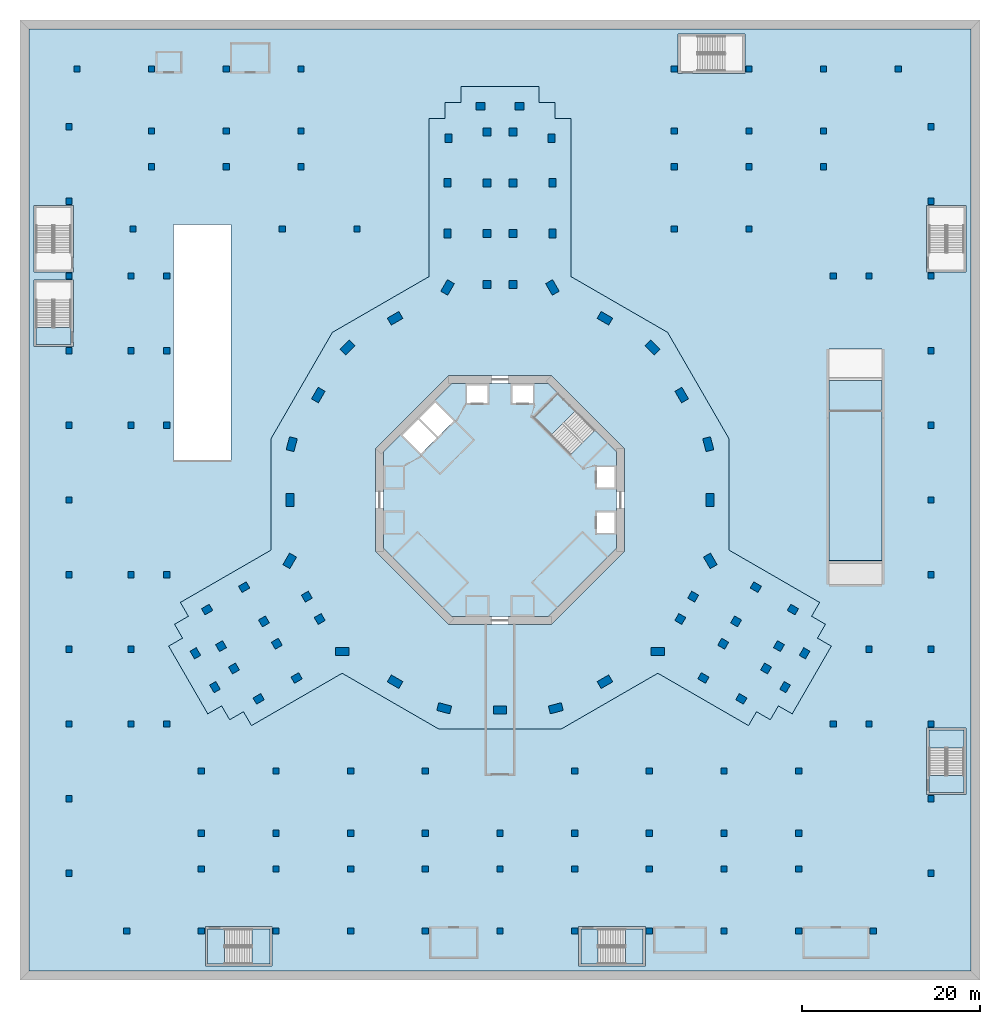
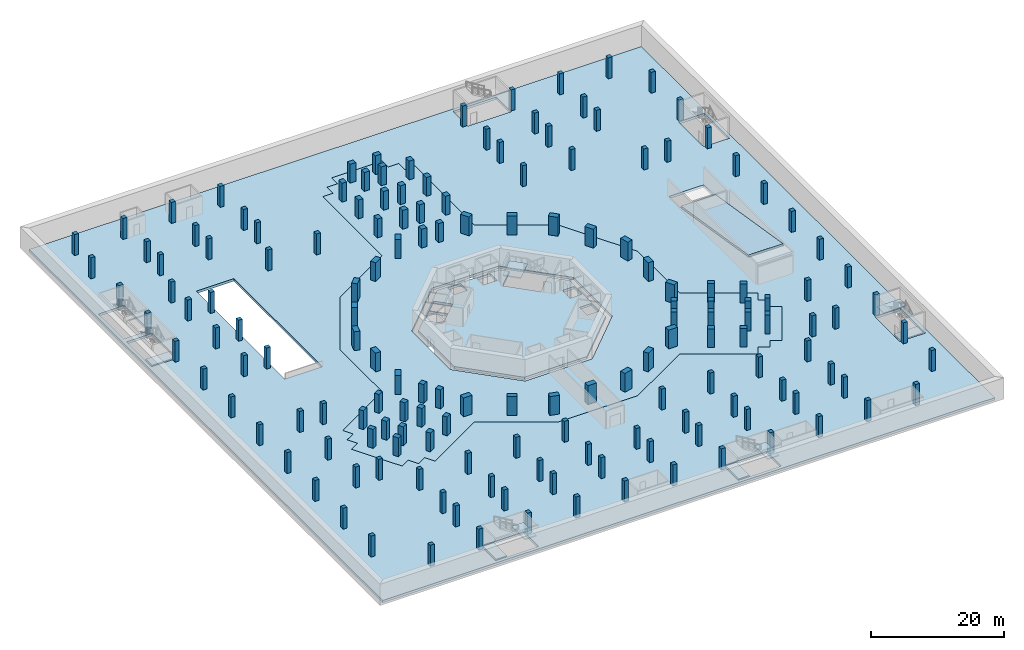
# One storey, part 1 of 25: 161 columns, 12 slabs, 5 elements without a shape of their own.
"""IFC4 building model written with IfcOpenShell, lengths in metres."""

from ifc_helpers import new_model, si_unit, direction, frame, origin, origin_2d, place, context, subcontext, project, spatial, polyline, rectangle, outline, extrude, material, layer, layer_set, material_profile, profile_set, type_object, element, aggregate, save


model = new_model("IFC4")

# Units and contexts
model_context = context("Model", 3, precision=1e-05, world=origin(), true_north=direction((0.0, 1.0)))
body_context = subcontext(model_context, "Body", "Model", "MODEL_VIEW")
ifc_project = project(units=[si_unit("LENGTHUNIT", "METRE"), si_unit("AREAUNIT", "SQUARE_METRE"), si_unit("VOLUMEUNIT", "CUBIC_METRE"), si_unit("PLANEANGLEUNIT", "RADIAN"), si_unit("MASSUNIT", "GRAM", prefix="KILO")], contexts=[model_context])

# Site, building, storey
site_placement = place(None, origin())
site = spatial("IfcSite", under=ifc_project, at=site_placement, CompositionType="ELEMENT")
building_placement = place(site_placement, origin())
building = spatial("IfcBuilding", under=site, at=building_placement, Name="Verdalira Terraces Hotel", CompositionType="ELEMENT")
storey_placement = place(building_placement, frame((0.0, 0.0, -3.899902)))
storey = spatial("IfcBuildingStorey", under=building, at=storey_placement, Name="B1", CompositionType="ELEMENT", Elevation=-3.89990234375)

# Columns
ifc_material_1 = material(Name="Concrete C80", Category="concrete")
ifc_material_profile_1 = material_profile(ifc_material_1, rectangle(XDim=1.0, YDim=0.800049, at=origin_2d()), Name="RC 1000X800")
ifc_profile_set_1 = profile_set([ifc_material_profile_1], Name="Concrete C80")
column_type_1 = type_object("IfcColumnType", Name="Column RC 1000X800 C80", PredefinedType="COLUMN", material=ifc_profile_set_1)
for number, where, z_axis, x_axis, name in (
    (1, (5.899902, 29.972168, 0.0), (0.0, 0.0, 1.0), (0.0, 1.0, 0.0), "Column C01"),
    (2, (5.899902, 35.686035, 0.0), (0.0, 0.0, 1.0), (0.0, 1.0, 0.0), "Column C02"),
    (3, (5.800049, 40.699951, 0.0), (0.0, 0.0, 1.0), (0.0, 1.0, 0.0), "Column C03"),
    (4, (-5.800049, 40.699951, 0.0), (0.0, 0.0, 1.0), (0.0, -1.0, 0.0), "Column C04"),
    (5, (-5.899902, 35.686035, 0.0), (0.0, 0.0, 1.0), (0.0, -1.0, 0.0), "Column C05"),
    (6, (-5.899902, 29.972168, 0.0), (0.0, 0.0, 1.0), (0.0, -1.0, 0.0), "Column C06"),
    (7, (-28.782715, -9.804932, 0.0), (0.0, 0.0, 1.0), (-0.866025404, -0.5, 0.0), "Column C14"),
    (8, (-32.951172, -12.327148, 0.0), (0.0, 0.0, 1.0), (-0.866025404, -0.5, 0.0), "Column C15"),
    (9, (-34.268799, -17.244629, 0.0), (0.0, 0.0, 1.0), (0.5, -0.866025404, 0.0), "Column C16"),
    (10, (-32.068848, -21.05542, 0.0), (0.0, 0.0, 1.0), (0.5, -0.866025404, 0.0), "Column C17"),
    (11, (-27.151123, -22.372803, 0.0), (0.0, 0.0, 1.0), (0.866025404, 0.5, 0.0), "Column C18"),
    (12, (-22.882812, -20.02417, 0.0), (0.0, 0.0, 1.0), (0.866025404, 0.5, 0.0), "Column C19"),
    (13, (22.882812, -20.02417, 0.0), (0.0, 0.0, 1.0), (0.866025404, -0.5, 0.0), "Column C27"),
    (14, (27.151123, -22.372803, 0.0), (0.0, 0.0, 1.0), (0.866025404, -0.5, 0.0), "Column C28"),
    (15, (32.068848, -21.05542, 0.0), (0.0, 0.0, 1.0), (0.5, 0.866025404, 0.0), "Column C29"),
    (16, (34.268799, -17.244629, 0.0), (0.0, 0.0, 1.0), (0.5, 0.866025404, 0.0), "Column C30"),
    (17, (32.951172, -12.327148, 0.0), (0.0, 0.0, 1.0), (-0.866025404, 0.5, 0.0), "Column C31"),
    (18, (28.782715, -9.804932, 0.0), (0.0, 0.0, 1.0), (-0.866025404, 0.5, 0.0), "Column C32"),
    (19, (2.199951, 44.300049, 0.0), (0.0, 0.0, 1.0), (-1.0, 0.0, 0.0), "Column C40"),
    (20, (-2.199951, 44.300049, 0.0), (0.0, 0.0, 1.0), (-1.0, 0.0, 0.0), "Column C41"),
):
    element("IfcColumn", number, at=place(storey_placement, frame(where, z_axis=z_axis, x_axis=x_axis)), inside=storey, type_object=column_type_1, Name=name, PredefinedType="COLUMN", context=body_context, shape_type="SweptSolid", body=[
        extrude(rectangle(XDim=1.0, YDim=0.800049, at=origin_2d()), origin(), (0.0, 0.0, 1.0), 3.449951),
    ])
ifc_material_2 = material(Name="Concrete C80", Category="concrete")
ifc_material_profile_2 = material_profile(ifc_material_2, rectangle(XDim=1.5, YDim=0.899902, at=origin_2d()), Name="RC 1500X900")
ifc_profile_set_2 = profile_set([ifc_material_profile_2], Name="Concrete C80")
column_type_2 = type_object("IfcColumnType", Name="Column RC 1500X900 C80", PredefinedType="COLUMN", material=ifc_profile_set_2)
for number, where, z_axis, x_axis, name in (
    (21, (-5.899902, 23.911865, 0.0), (0.0, 0.0, 1.0), (0.5, 0.866025404, 0.0), "Column C07"),
    (22, (-11.804199, 20.445312, 0.0), (0.0, 0.0, 1.0), (-0.866025404, -0.5, 0.0), "Column C08"),
    (23, (-17.150635, 17.150635, 0.0), (0.0, 0.0, 1.0), (0.707106781, 0.707106781, 0.0), "Column C09"),
    (24, (-20.445312, 11.804199, 0.0), (0.0, 0.0, 1.0), (-0.5, -0.866025404, 0.0), "Column C10"),
    (25, (-23.428223, 6.277588, 0.0), (0.0, 0.0, 1.0), (0.258819045, 0.965925826, 0.0), "Column C11"),
    (26, (-23.608398, 0.0, 0.0), (0.0, 0.0, 1.0), (0.0, -1.0, 0.0), "Column C12"),
    (27, (-23.658203, -6.846436, 0.0), (0.0, 0.0, 1.0), (0.5, 0.866025404, 0.0), "Column C13"),
    (28, (-17.758301, -17.06543, 0.0), (0.0, 0.0, 1.0), (-1.0, 0.0, 0.0), "Column C20"),
    (29, (-11.804199, -20.445312, 0.0), (0.0, 0.0, 1.0), (0.866025404, -0.5, 0.0), "Column C21"),
    (30, (-6.277588, -23.428223, 0.0), (0.0, 0.0, 1.0), (-0.965925826, 0.258819045, 0.0), "Column C22"),
    (31, (0.0, -23.608398, 0.0), (0.0, 0.0, 1.0), (1.0, 0.0, 0.0), "Column C23"),
    (32, (6.277588, -23.428223, 0.0), (0.0, 0.0, 1.0), (-0.965925826, -0.258819045, 0.0), "Column C24"),
    (33, (11.804199, -20.445312, 0.0), (0.0, 0.0, 1.0), (0.866025404, 0.5, 0.0), "Column C25"),
    (34, (17.758301, -17.06543, 0.0), (0.0, 0.0, 1.0), (-1.0, 0.0, 0.0), "Column C26"),
    (35, (23.658203, -6.846436, 0.0), (0.0, 0.0, 1.0), (0.5, -0.866025404, 0.0), "Column C33"),
    (36, (23.608398, 0.0, 0.0), (0.0, 0.0, 1.0), (0.0, 1.0, 0.0), "Column C34"),
    (37, (23.428223, 6.277588, 0.0), (0.0, 0.0, 1.0), (0.258819045, -0.965925826, 0.0), "Column C35"),
    (38, (20.445312, 11.804199, 0.0), (0.0, 0.0, 1.0), (-0.5, 0.866025404, 0.0), "Column C36"),
    (39, (17.150635, 17.150635, 0.0), (0.0, 0.0, 1.0), (0.707106781, -0.707106781, 0.0), "Column C37"),
    (40, (11.804199, 20.445312, 0.0), (0.0, 0.0, 1.0), (-0.866025404, 0.5, 0.0), "Column C38"),
    (41, (5.899902, 23.911865, 0.0), (0.0, 0.0, 1.0), (0.5, -0.866025404, 0.0), "Column C39"),
):
    element("IfcColumn", number, at=place(storey_placement, frame(where, z_axis=z_axis, x_axis=x_axis)), inside=storey, type_object=column_type_2, Name=name, PredefinedType="COLUMN", context=body_context, shape_type="SweptSolid", body=[
        extrude(rectangle(XDim=1.5, YDim=0.899902, at=origin_2d()), origin(), (0.0, 0.0, 1.0), 3.449951),
    ])
ifc_material_3 = material(Name="Concrete C60", Category="concrete")
ifc_material_profile_3 = material_profile(ifc_material_3, rectangle(XDim=0.699951, YDim=0.699951, at=origin_2d()), Name="RC 700X700")
ifc_profile_set_3 = profile_set([ifc_material_profile_3], Name="Concrete C60")
column_type_3 = type_object("IfcColumnType", Name="Column RC 700X700 C60", PredefinedType="COLUMN", material=ifc_profile_set_3)
for number, where, z_axis, x_axis, name in (
    (42, (-42.0, -48.5, 0.0), (0.0, 0.0, 1.0), (1.0, 0.0, 0.0), "Car park column 001"),
    (43, (-33.600098, -48.5, 0.0), (0.0, 0.0, 1.0), (1.0, 0.0, 0.0), "Car park column 002"),
    (44, (-25.199951, -48.5, 0.0), (0.0, 0.0, 1.0), (1.0, 0.0, 0.0), "Car park column 003"),
    (45, (-16.800049, -48.5, 0.0), (0.0, 0.0, 1.0), (1.0, 0.0, 0.0), "Car park column 004"),
    (46, (-8.399902, -48.5, 0.0), (0.0, 0.0, 1.0), (1.0, 0.0, 0.0), "Car park column 005"),
    (47, (0.0, -48.5, 0.0), (0.0, 0.0, 1.0), (1.0, 0.0, 0.0), "Car park column 006"),
    (48, (8.399902, -48.5, 0.0), (0.0, 0.0, 1.0), (1.0, 0.0, 0.0), "Car park column 007"),
    (49, (16.800049, -48.5, 0.0), (0.0, 0.0, 1.0), (1.0, 0.0, 0.0), "Car park column 008"),
    (50, (25.199951, -48.5, 0.0), (0.0, 0.0, 1.0), (1.0, 0.0, 0.0), "Car park column 009"),
    (51, (33.600098, -48.5, 0.0), (0.0, 0.0, 1.0), (1.0, 0.0, 0.0), "Car park column 010"),
    (52, (42.0, -48.5, 0.0), (0.0, 0.0, 1.0), (1.0, 0.0, 0.0), "Car park column 011"),
    (53, (-48.5, -42.0, 0.0), (0.0, 0.0, 1.0), (1.0, 0.0, 0.0), "Car park column 012"),
    (54, (48.5, -42.0, 0.0), (0.0, 0.0, 1.0), (1.0, 0.0, 0.0), "Car park column 013"),
    (55, (-33.600098, -41.5, 0.0), (0.0, 0.0, 1.0), (1.0, 0.0, 0.0), "Car park column 014"),
    (56, (-25.199951, -41.5, 0.0), (0.0, 0.0, 1.0), (1.0, 0.0, 0.0), "Car park column 015"),
    (57, (-16.800049, -41.5, 0.0), (0.0, 0.0, 1.0), (1.0, 0.0, 0.0), "Car park column 016"),
    (58, (-8.399902, -41.5, 0.0), (0.0, 0.0, 1.0), (1.0, 0.0, 0.0), "Car park column 017"),
    (59, (0.0, -41.5, 0.0), (0.0, 0.0, 1.0), (1.0, 0.0, 0.0), "Car park column 018"),
    (60, (8.399902, -41.5, 0.0), (0.0, 0.0, 1.0), (1.0, 0.0, 0.0), "Car park column 019"),
    (61, (16.800049, -41.5, 0.0), (0.0, 0.0, 1.0), (1.0, 0.0, 0.0), "Car park column 020"),
    (62, (25.199951, -41.5, 0.0), (0.0, 0.0, 1.0), (1.0, 0.0, 0.0), "Car park column 021"),
    (63, (33.600098, -41.5, 0.0), (0.0, 0.0, 1.0), (1.0, 0.0, 0.0), "Car park column 022"),
    (64, (-33.600098, -37.5, 0.0), (0.0, 0.0, 1.0), (1.0, 0.0, 0.0), "Car park column 023"),
    (65, (-25.199951, -37.5, 0.0), (0.0, 0.0, 1.0), (1.0, 0.0, 0.0), "Car park column 024"),
    (66, (-16.800049, -37.5, 0.0), (0.0, 0.0, 1.0), (1.0, 0.0, 0.0), "Car park column 025"),
    (67, (-8.399902, -37.5, 0.0), (0.0, 0.0, 1.0), (1.0, 0.0, 0.0), "Car park column 026"),
    (68, (0.0, -37.5, 0.0), (0.0, 0.0, 1.0), (1.0, 0.0, 0.0), "Car park column 027"),
    (69, (8.399902, -37.5, 0.0), (0.0, 0.0, 1.0), (1.0, 0.0, 0.0), "Car park column 028"),
    (70, (16.800049, -37.5, 0.0), (0.0, 0.0, 1.0), (1.0, 0.0, 0.0), "Car park column 029"),
    (71, (25.199951, -37.5, 0.0), (0.0, 0.0, 1.0), (1.0, 0.0, 0.0), "Car park column 030"),
    (72, (33.600098, -37.5, 0.0), (0.0, 0.0, 1.0), (1.0, 0.0, 0.0), "Car park column 031"),
    (73, (-48.5, -33.600098, 0.0), (0.0, 0.0, 1.0), (1.0, 0.0, 0.0), "Car park column 032"),
    (74, (48.5, -33.600098, 0.0), (0.0, 0.0, 1.0), (1.0, 0.0, 0.0), "Car park column 033"),
    (75, (-33.600098, -30.5, 0.0), (0.0, 0.0, 1.0), (1.0, 0.0, 0.0), "Car park column 034"),
    (76, (-25.199951, -30.5, 0.0), (0.0, 0.0, 1.0), (1.0, 0.0, 0.0), "Car park column 035"),
    (77, (-16.800049, -30.5, 0.0), (0.0, 0.0, 1.0), (1.0, 0.0, 0.0), "Car park column 036"),
    (78, (-8.399902, -30.5, 0.0), (0.0, 0.0, 1.0), (1.0, 0.0, 0.0), "Car park column 037"),
    (79, (8.399902, -30.5, 0.0), (0.0, 0.0, 1.0), (1.0, 0.0, 0.0), "Car park column 038"),
    (80, (16.800049, -30.5, 0.0), (0.0, 0.0, 1.0), (1.0, 0.0, 0.0), "Car park column 039"),
    (81, (25.199951, -30.5, 0.0), (0.0, 0.0, 1.0), (1.0, 0.0, 0.0), "Car park column 040"),
    (82, (33.600098, -30.5, 0.0), (0.0, 0.0, 1.0), (1.0, 0.0, 0.0), "Car park column 041"),
    (83, (-48.5, -25.199951, 0.0), (0.0, 0.0, 1.0), (1.0, 0.0, 0.0), "Car park column 042"),
    (84, (-41.5, -25.199951, 0.0), (0.0, 0.0, 1.0), (1.0, 0.0, 0.0), "Car park column 043"),
    (85, (-37.5, -25.199951, 0.0), (0.0, 0.0, 1.0), (1.0, 0.0, 0.0), "Car park column 044"),
    (86, (37.5, -25.199951, 0.0), (0.0, 0.0, 1.0), (1.0, 0.0, 0.0), "Car park column 045"),
    (87, (41.5, -25.199951, 0.0), (0.0, 0.0, 1.0), (1.0, 0.0, 0.0), "Car park column 046"),
    (88, (48.5, -25.199951, 0.0), (0.0, 0.0, 1.0), (1.0, 0.0, 0.0), "Car park column 047"),
    (89, (-48.5, -16.800049, 0.0), (0.0, 0.0, 1.0), (1.0, 0.0, 0.0), "Car park column 048"),
    (90, (-41.5, -16.800049, 0.0), (0.0, 0.0, 1.0), (1.0, 0.0, 0.0), "Car park column 049"),
    (91, (41.5, -16.800049, 0.0), (0.0, 0.0, 1.0), (1.0, 0.0, 0.0), "Car park column 050"),
    (92, (48.5, -16.800049, 0.0), (0.0, 0.0, 1.0), (1.0, 0.0, 0.0), "Car park column 051"),
    (93, (-48.5, -8.399902, 0.0), (0.0, 0.0, 1.0), (1.0, 0.0, 0.0), "Car park column 052"),
    (94, (-41.5, -8.399902, 0.0), (0.0, 0.0, 1.0), (1.0, 0.0, 0.0), "Car park column 053"),
    (95, (-37.5, -8.399902, 0.0), (0.0, 0.0, 1.0), (1.0, 0.0, 0.0), "Car park column 054"),
    (96, (48.5, -8.399902, 0.0), (0.0, 0.0, 1.0), (1.0, 0.0, 0.0), "Car park column 055"),
    (97, (-48.5, 0.0, 0.0), (0.0, 0.0, 1.0), (1.0, 0.0, 0.0), "Car park column 056"),
    (98, (48.5, 0.0, 0.0), (0.0, 0.0, 1.0), (1.0, 0.0, 0.0), "Car park column 057"),
    (99, (-48.5, 8.399902, 0.0), (0.0, 0.0, 1.0), (1.0, 0.0, 0.0), "Car park column 058"),
    (100, (-41.5, 8.399902, 0.0), (0.0, 0.0, 1.0), (1.0, 0.0, 0.0), "Car park column 059"),
    (101, (-37.5, 8.399902, 0.0), (0.0, 0.0, 1.0), (1.0, 0.0, 0.0), "Car park column 060"),
    (102, (48.5, 8.399902, 0.0), (0.0, 0.0, 1.0), (1.0, 0.0, 0.0), "Car park column 061"),
    (103, (-48.5, 16.800049, 0.0), (0.0, 0.0, 1.0), (1.0, 0.0, 0.0), "Car park column 062"),
    (104, (-41.5, 16.800049, 0.0), (0.0, 0.0, 1.0), (1.0, 0.0, 0.0), "Car park column 063"),
    (105, (-37.5, 16.800049, 0.0), (0.0, 0.0, 1.0), (1.0, 0.0, 0.0), "Car park column 064"),
    (106, (48.5, 16.800049, 0.0), (0.0, 0.0, 1.0), (1.0, 0.0, 0.0), "Car park column 065"),
    (107, (-48.5, 25.199951, 0.0), (0.0, 0.0, 1.0), (1.0, 0.0, 0.0), "Car park column 066"),
    (108, (-41.5, 25.199951, 0.0), (0.0, 0.0, 1.0), (1.0, 0.0, 0.0), "Car park column 067"),
    (109, (-37.5, 25.199951, 0.0), (0.0, 0.0, 1.0), (1.0, 0.0, 0.0), "Car park column 068"),
    (110, (37.5, 25.199951, 0.0), (0.0, 0.0, 1.0), (1.0, 0.0, 0.0), "Car park column 069"),
    (111, (41.5, 25.199951, 0.0), (0.0, 0.0, 1.0), (1.0, 0.0, 0.0), "Car park column 070"),
    (112, (48.5, 25.199951, 0.0), (0.0, 0.0, 1.0), (1.0, 0.0, 0.0), "Car park column 071"),
    (113, (-41.300049, 30.5, 0.0), (0.0, 0.0, 1.0), (1.0, 0.0, 0.0), "Car park column 072"),
    (114, (-24.5, 30.5, 0.0), (0.0, 0.0, 1.0), (1.0, 0.0, 0.0), "Car park column 073"),
    (115, (-16.100098, 30.5, 0.0), (0.0, 0.0, 1.0), (1.0, 0.0, 0.0), "Car park column 074"),
    (116, (19.600098, 30.5, 0.0), (0.0, 0.0, 1.0), (1.0, 0.0, 0.0), "Car park column 075"),
    (117, (28.0, 30.5, 0.0), (0.0, 0.0, 1.0), (1.0, 0.0, 0.0), "Car park column 076"),
    (118, (-48.5, 33.600098, 0.0), (0.0, 0.0, 1.0), (1.0, 0.0, 0.0), "Car park column 077"),
    (119, (48.5, 33.600098, 0.0), (0.0, 0.0, 1.0), (1.0, 0.0, 0.0), "Car park column 078"),
    (120, (-39.199951, 37.5, 0.0), (0.0, 0.0, 1.0), (1.0, 0.0, 0.0), "Car park column 079"),
    (121, (-30.800049, 37.5, 0.0), (0.0, 0.0, 1.0), (1.0, 0.0, 0.0), "Car park column 080"),
    (122, (-22.399902, 37.5, 0.0), (0.0, 0.0, 1.0), (1.0, 0.0, 0.0), "Car park column 081"),
    (123, (19.600098, 37.5, 0.0), (0.0, 0.0, 1.0), (1.0, 0.0, 0.0), "Car park column 082"),
    (124, (28.0, 37.5, 0.0), (0.0, 0.0, 1.0), (1.0, 0.0, 0.0), "Car park column 083"),
    (125, (36.399902, 37.5, 0.0), (0.0, 0.0, 1.0), (1.0, 0.0, 0.0), "Car park column 084"),
    (126, (-39.199951, 41.5, 0.0), (0.0, 0.0, 1.0), (1.0, 0.0, 0.0), "Car park column 085"),
    (127, (-30.800049, 41.5, 0.0), (0.0, 0.0, 1.0), (1.0, 0.0, 0.0), "Car park column 086"),
    (128, (-22.399902, 41.5, 0.0), (0.0, 0.0, 1.0), (1.0, 0.0, 0.0), "Car park column 087"),
    (129, (19.600098, 41.5, 0.0), (0.0, 0.0, 1.0), (1.0, 0.0, 0.0), "Car park column 088"),
    (130, (28.0, 41.5, 0.0), (0.0, 0.0, 1.0), (1.0, 0.0, 0.0), "Car park column 089"),
    (131, (36.399902, 41.5, 0.0), (0.0, 0.0, 1.0), (1.0, 0.0, 0.0), "Car park column 090"),
    (132, (-48.5, 42.0, 0.0), (0.0, 0.0, 1.0), (1.0, 0.0, 0.0), "Car park column 091"),
    (133, (48.5, 42.0, 0.0), (0.0, 0.0, 1.0), (1.0, 0.0, 0.0), "Car park column 092"),
    (134, (-47.600098, 48.5, 0.0), (0.0, 0.0, 1.0), (1.0, 0.0, 0.0), "Car park column 093"),
    (135, (-39.199951, 48.5, 0.0), (0.0, 0.0, 1.0), (1.0, 0.0, 0.0), "Car park column 094"),
    (136, (-30.800049, 48.5, 0.0), (0.0, 0.0, 1.0), (1.0, 0.0, 0.0), "Car park column 095"),
    (137, (-22.399902, 48.5, 0.0), (0.0, 0.0, 1.0), (1.0, 0.0, 0.0), "Car park column 096"),
    (138, (19.600098, 48.5, 0.0), (0.0, 0.0, 1.0), (1.0, 0.0, 0.0), "Car park column 097"),
    (139, (28.0, 48.5, 0.0), (0.0, 0.0, 1.0), (1.0, 0.0, 0.0), "Car park column 098"),
    (140, (36.399902, 48.5, 0.0), (0.0, 0.0, 1.0), (1.0, 0.0, 0.0), "Car park column 099"),
    (141, (44.800049, 48.5, 0.0), (0.0, 0.0, 1.0), (1.0, 0.0, 0.0), "Car park column 100"),
):
    element("IfcColumn", number, at=place(storey_placement, frame(where, z_axis=z_axis, x_axis=x_axis)), inside=storey, type_object=column_type_3, Name=name, PredefinedType="COLUMN", context=body_context, shape_type="SweptSolid", body=[
        extrude(rectangle(XDim=0.699951, YDim=0.699951, at=origin_2d()), origin(), (0.0, 0.0, 1.0), 3.839844),
    ])
ifc_material_4 = material(Name="Concrete C80", Category="concrete")
ifc_material_profile_4 = material_profile(ifc_material_4, rectangle(XDim=0.899902, YDim=0.899902, at=origin_2d()), Name="RC 900X900")
ifc_profile_set_4 = profile_set([ifc_material_profile_4], Name="Concrete C80")
column_type_4 = type_object("IfcColumnType", Name="Column RC 900X900 C80", PredefinedType="COLUMN", material=ifc_profile_set_4)
for number, where, z_axis, x_axis, name in (
    (142, (1.449951, 24.258301, 0.0), (0.0, 0.0, 1.0), (0.0, 1.0, 0.0), "Column C42"),
    (143, (-1.449951, 24.258301, 0.0), (0.0, 0.0, 1.0), (0.0, 1.0, 0.0), "Column C43"),
    (144, (1.449951, 29.972168, 0.0), (0.0, 0.0, 1.0), (0.0, 1.0, 0.0), "Column C44"),
    (145, (-1.449951, 29.972168, 0.0), (0.0, 0.0, 1.0), (0.0, 1.0, 0.0), "Column C45"),
    (146, (1.449951, 35.686035, 0.0), (0.0, 0.0, 1.0), (0.0, 1.0, 0.0), "Column C46"),
    (147, (-1.449951, 35.686035, 0.0), (0.0, 0.0, 1.0), (0.0, 1.0, 0.0), "Column C47"),
    (148, (1.449951, 41.399902, 0.0), (0.0, 0.0, 1.0), (0.0, 1.0, 0.0), "Column C48"),
    (149, (-1.449951, 41.399902, 0.0), (0.0, 0.0, 1.0), (0.0, 1.0, 0.0), "Column C49"),
    (150, (-21.733398, -10.873291, 0.0), (0.0, 0.0, 1.0), (-0.866025404, -0.5, 0.0), "Column C50"),
    (151, (-20.283203, -13.38501, 0.0), (0.0, 0.0, 1.0), (-0.866025404, -0.5, 0.0), "Column C51"),
    (152, (-26.557861, -13.658691, 0.0), (0.0, 0.0, 1.0), (-0.866025404, -0.5, 0.0), "Column C52"),
    (153, (-25.10791, -16.17041, 0.0), (0.0, 0.0, 1.0), (-0.866025404, -0.5, 0.0), "Column C53"),
    (154, (-31.382324, -16.444336, 0.0), (0.0, 0.0, 1.0), (-0.866025404, -0.5, 0.0), "Column C54"),
    (155, (-29.932373, -18.955811, 0.0), (0.0, 0.0, 1.0), (-0.866025404, -0.5, 0.0), "Column C55"),
    (156, (20.283203, -13.38501, 0.0), (0.0, 0.0, 1.0), (0.866025404, -0.5, 0.0), "Column C56"),
    (157, (21.733398, -10.873291, 0.0), (0.0, 0.0, 1.0), (0.866025404, -0.5, 0.0), "Column C57"),
    (158, (25.10791, -16.17041, 0.0), (0.0, 0.0, 1.0), (0.866025404, -0.5, 0.0), "Column C58"),
    (159, (26.557861, -13.658691, 0.0), (0.0, 0.0, 1.0), (0.866025404, -0.5, 0.0), "Column C59"),
    (160, (29.932373, -18.955811, 0.0), (0.0, 0.0, 1.0), (0.866025404, -0.5, 0.0), "Column C60"),
    (161, (31.382324, -16.444336, 0.0), (0.0, 0.0, 1.0), (0.866025404, -0.5, 0.0), "Column C61"),
):
    element("IfcColumn", number, at=place(storey_placement, frame(where, z_axis=z_axis, x_axis=x_axis)), inside=storey, type_object=column_type_4, Name=name, PredefinedType="COLUMN", context=body_context, shape_type="SweptSolid", body=[
        extrude(rectangle(XDim=0.899902, YDim=0.899902, at=origin_2d()), origin(), (0.0, 0.0, 1.0), 3.449951),
    ])

# Slab
ifc_material_5 = material(Name="Concrete C40", Category="concrete")
ifc_layer_1 = layer(ifc_material_5, 0.449951171875)
ifc_layer_set_1 = layer_set([ifc_layer_1], Name="Car park floor slab 450 C40")
slab_type_1 = type_object("IfcSlabType", Name="Car park floor slab 450 C40", PredefinedType="FLOOR", material=ifc_layer_set_1)
slab_1_placement = place(storey_placement, frame((0.0, 0.0, -0.450195)))
element("IfcSlab", 162, at=slab_1_placement, inside=storey, type_object=slab_type_1, Name="Car park floor slab", PredefinedType="FLOOR", context=body_context, shape_type="SweptSolid", body=[
    extrude(outline(polyline([(-53.0, -53.0), (53.0, -53.0), (53.0, 53.0), (-53.0, 53.0), (-53.0, -53.0)]), holes=[polyline([(52.449951, -33.149902), (48.0, -33.149902), (48.0, -25.649902), (52.449951, -25.649902), (52.449951, -33.149902)]), polyline([(52.449951, 33.149902), (52.449951, 25.649902), (48.0, 25.649902), (48.0, 33.149902), (52.449951, 33.149902)]), polyline([(37.0, 16.99707), (43.0, 16.99707), (43.0, 13.71582), (37.0, 13.71582), (37.0, 16.99707)]), polyline([(-8.0, 42.899902), (-6.199951, 42.899902), (-6.199951, 44.699951), (-4.399902, 44.699951), (-4.399902, 46.5), (4.399902, 46.5), (4.399902, 44.699951), (6.199951, 44.699951), (6.199951, 42.899902), (8.0, 42.899902), (8.0, 25.124512), (18.856445, 18.856445), (25.758301, 6.901855), (25.758301, -5.634033), (35.956299, -11.521729), (35.056396, -13.080566), (36.615234, -13.980713), (35.715088, -15.539551), (37.273926, -16.439453), (32.874023, -24.060547), (31.315186, -23.1604), (30.415283, -24.719482), (28.856201, -23.819336), (27.956299, -25.378174), (17.758301, -19.490479), (6.901855, -25.758301), (-6.901855, -25.758301), (-17.758301, -19.490479), (-27.956299, -25.378174), (-28.856201, -23.819336), (-30.415283, -24.719482), (-31.315186, -23.1604), (-32.874023, -24.060547), (-37.273926, -16.439453), (-35.715088, -15.539551), (-36.615234, -13.980713), (-35.056396, -13.080566), (-35.956299, -11.521729), (-25.758301, -5.634033), (-25.758301, 6.901855), (-18.856445, 18.856445), (-8.0, 25.124512), (-8.0, 42.899902)]), polyline([(20.050049, 48.0), (20.050049, 52.449951), (27.550049, 52.449951), (27.550049, 48.0), (20.050049, 48.0)]), polyline([(16.350098, -52.449951), (8.850098, -52.449951), (8.850098, -48.0), (16.350098, -48.0), (16.350098, -52.449951)]), polyline([(-25.649902, -48.0), (-25.649902, -52.449951), (-33.149902, -52.449951), (-33.149902, -48.0), (-25.649902, -48.0)]), polyline([(-36.75, 4.5), (-36.75, 31.0), (-30.25, 31.0), (-30.25, 4.5), (-36.75, 4.5)]), polyline([(-52.449951, 17.25), (-52.449951, 24.75), (-48.0, 24.75), (-48.0, 17.25), (-52.449951, 17.25)]), polyline([(-52.449951, 33.149902), (-48.0, 33.149902), (-48.0, 25.649902), (-52.449951, 25.649902), (-52.449951, 33.149902)])]), origin(), (0.0, 0.0, 1.0), 0.450195),
])

# Stair, slab
ifc_material_6 = material(Name="Concrete C40", Category="concrete")
stair_type_1 = type_object("IfcStairType", Name="Car park stair 24 risers", PredefinedType="HALF_TURN_STAIR", material=ifc_material_6)
stair_1_placement = place(storey_placement, origin())
stair_1 = element("IfcStair", 163, at=stair_1_placement, inside=storey, type_object=stair_type_1, Name="B1 Exit stair Basement stair 1", PredefinedType="HALF_TURN_STAIR")
ifc_material_7 = material(Name="Concrete C40", Category="concrete")
ifc_layer_2 = layer(ifc_material_7, 0.199951171875)
ifc_layer_set_2 = layer_set([ifc_layer_2], Name="Car park stair landing 200 mm")
slab_type_2 = type_object("IfcSlabType", Name="Car park stair landing 200 mm", PredefinedType="LANDING", material=ifc_layer_set_2)
slab_2_placement = place(storey_placement, frame((0.0, 0.0, 1.75)))
slab_2 = element("IfcSlab", 164, at=slab_2_placement, type_object=slab_type_2, Name="Basement stair 1 landing 1", PredefinedType="LANDING", context=body_context, shape_type="SweptSolid", body=[
    extrude(outline(polyline([(-27.895508, -52.199951), (-25.899902, -52.199951), (-25.899902, -48.25), (-27.895508, -48.25), (-27.895508, -52.199951)])), origin(), (0.0, 0.0, 1.0), 0.199951),
])
aggregate(stair_1, [slab_2])

stair_2_placement = place(storey_placement, origin())
stair_2 = element("IfcStair", 165, at=stair_2_placement, inside=storey, type_object=stair_type_1, Name="B1 Exit stair Basement stair 2", PredefinedType="HALF_TURN_STAIR")
slab_3_placement = place(storey_placement, frame((0.0, 0.0, 1.75)))
slab_3 = element("IfcSlab", 166, at=slab_3_placement, type_object=slab_type_2, Name="Basement stair 2 landing 1", PredefinedType="LANDING", context=body_context, shape_type="SweptSolid", body=[
    extrude(outline(polyline([(52.199951, -27.895508), (52.199951, -25.899902), (48.25, -25.899902), (48.25, -27.895508), (52.199951, -27.895508)])), origin(), (0.0, 0.0, 1.0), 0.199951),
])
aggregate(stair_2, [slab_3])

stair_3_placement = place(storey_placement, origin())
stair_3 = element("IfcStair", 167, at=stair_3_placement, inside=storey, type_object=stair_type_1, Name="B1 Exit stair Basement stair 6", PredefinedType="HALF_TURN_STAIR")
slab_4_placement = place(storey_placement, frame((0.0, 0.0, 1.75)))
slab_4 = element("IfcSlab", 168, at=slab_4_placement, type_object=slab_type_2, Name="Basement stair 6 landing 1", PredefinedType="LANDING", context=body_context, shape_type="SweptSolid", body=[
    extrude(outline(polyline([(14.104492, -52.199951), (16.100098, -52.199951), (16.100098, -48.25), (14.104492, -48.25), (14.104492, -52.199951)])), origin(), (0.0, 0.0, 1.0), 0.199951),
])
aggregate(stair_3, [slab_4])

# Slab
ifc_material_8 = material(Name="Concrete C40", Category="concrete")
ifc_layer_3 = layer(ifc_material_8, 0.449951171875)
ifc_layer_set_3 = layer_set([ifc_layer_3], Name="Core floor slab 450 mm")
slab_type_3 = type_object("IfcSlabType", Name="Core floor slab 450 mm", PredefinedType="FLOOR", material=ifc_layer_set_3)
slab_5_placement = place(storey_placement, frame((0.0, 0.0, -0.450195)))
element("IfcSlab", 169, at=slab_5_placement, inside=storey, type_object=slab_type_3, Name="B1 core floor", PredefinedType="FLOOR", context=body_context, shape_type="SweptSolid", body=[
    extrude(outline(polyline([(5.42627, 13.100098), (6.491211, 12.034912), (3.719482, 9.263184), (7.905029, 5.077393), (10.677002, 7.849121), (13.100098, 5.42627), (13.100098, -5.42627), (5.42627, -13.100098), (-5.42627, -13.100098), (-13.100098, -5.42627), (-13.100098, 5.42627), (-5.42627, 13.100098), (5.42627, 13.100098)]), holes=[polyline([(12.899902, -1.399902), (10.899902, -1.399902), (10.899902, -3.699951), (12.899902, -3.699951), (12.899902, -1.399902)]), polyline([(12.899902, 3.699951), (10.899902, 3.699951), (10.899902, 1.399902), (12.899902, 1.399902), (12.899902, 3.699951)]), polyline([(3.699951, 10.899902), (3.699951, 12.899902), (1.399902, 12.899902), (1.399902, 10.899902), (3.699951, 10.899902)]), polyline([(-1.399902, 10.899902), (-1.399902, 12.899902), (-3.699951, 12.899902), (-3.699951, 10.899902), (-1.399902, 10.899902)]), polyline([(-6.965088, 7.106445), (-5.197266, 8.874268), (-7.283203, 10.960205), (-9.051025, 9.192383), (-6.965088, 7.106445)]), polyline([(-10.960205, 7.283203), (-8.874268, 5.197266), (-7.106445, 6.965088), (-9.192383, 9.051025), (-10.960205, 7.283203)])]), origin(), (0.0, 0.0, 1.0), 0.450195),
])

# Stair, slab
ifc_material_9 = material(Name="Concrete C40", Category="concrete")
stair_type_2 = type_object("IfcStairType", Name="Core stair 24 risers 1900 mm wide", PredefinedType="HALF_TURN_STAIR", material=ifc_material_9)
stair_4_placement = place(storey_placement, origin())
stair_4 = element("IfcStair", 170, at=stair_4_placement, inside=storey, type_object=stair_type_2, Name="B1 Exit stair ST1", PredefinedType="HALF_TURN_STAIR")
ifc_material_10 = material(Name="Concrete C40", Category="concrete")
ifc_layer_4 = layer(ifc_material_10, 0.199951171875)
ifc_layer_set_4 = layer_set([ifc_layer_4], Name="Core stair landing 200 mm")
slab_type_4 = type_object("IfcSlabType", Name="Core stair landing 200 mm", PredefinedType="LANDING", material=ifc_layer_set_4)
slab_6_placement = place(storey_placement, frame((0.0, 0.0, 1.75)))
slab_6 = element("IfcSlab", 171, at=slab_6_placement, type_object=slab_type_4, Name="ST1 landing 1", PredefinedType="LANDING", context=body_context, shape_type="SweptSolid", body=[
    extrude(outline(polyline([(8.499756, 10.026367), (6.505371, 12.020752), (3.747559, 9.263184), (5.741943, 7.268799), (8.499756, 10.026367)])), origin(), (0.0, 0.0, 1.0), 0.199951),
])
aggregate(stair_4, [slab_6])

# Slabs
ifc_material_11 = material(Name="Concrete C40", Category="concrete")
ifc_layer_5 = layer(ifc_material_11, 0.449951171875)
ifc_layer_set_5 = layer_set([ifc_layer_5], Name="Floor slab 450 C40")
slab_type_5 = type_object("IfcSlabType", Name="Floor slab 450 C40", PredefinedType="FLOOR", material=ifc_layer_set_5)
slab_7_placement = place(storey_placement, frame((0.0, 0.0, -0.450195)))
element("IfcSlab", 172, at=slab_7_placement, inside=storey, type_object=slab_type_5, Name="Floor slab B1", PredefinedType="FLOOR", context=body_context, shape_type="SweptSolid", body=[
    extrude(outline(polyline([(18.856445, 18.856445), (8.0, 25.124512), (8.0, 42.899902), (6.199951, 42.899902), (6.199951, 44.699951), (4.399902, 44.699951), (4.399902, 46.5), (-4.399902, 46.5), (-4.399902, 44.699951), (-6.199951, 44.699951), (-6.199951, 42.899902), (-8.0, 42.899902), (-8.0, 25.124512), (-18.856445, 18.856445), (-25.758301, 6.901855), (-25.758301, -5.634033), (-35.956299, -11.521729), (-35.056396, -13.080566), (-36.615234, -13.980713), (-35.715088, -15.539551), (-37.273926, -16.439453), (-32.874023, -24.060547), (-31.315186, -23.1604), (-30.415283, -24.719482), (-28.856201, -23.819336), (-27.956299, -25.378174), (-17.758301, -19.490479), (-6.901855, -25.758301), (6.901855, -25.758301), (17.758301, -19.490479), (27.956299, -25.378174), (28.856201, -23.819336), (30.415283, -24.719482), (31.315186, -23.1604), (32.874023, -24.060547), (37.273926, -16.439453), (35.715088, -15.539551), (36.615234, -13.980713), (35.056396, -13.080566), (35.956299, -11.521729), (25.758301, -5.634033), (25.758301, 6.901855), (18.856445, 18.856445)]), holes=[polyline([(5.799072, 14.0), (14.0, 5.799072), (14.0, -5.799072), (5.799072, -14.0), (-5.799072, -14.0), (-14.0, -5.799072), (-14.0, 5.799072), (-5.799072, 14.0), (5.799072, 14.0)])]), origin(), (0.0, 0.0, 1.0), 0.450195),
])
ifc_material_12 = material(Name="Concrete C40", Category="concrete")
ifc_layer_6 = layer(ifc_material_12, 0.449951171875)
ifc_layer_set_6 = layer_set([ifc_layer_6], Name="Stair enclosure floor slab 450 C40")
slab_type_6 = type_object("IfcSlabType", Name="Stair enclosure floor slab 450 C40", PredefinedType="FLOOR", material=ifc_layer_set_6)
slab_8_placement = place(storey_placement, frame((0.0, 0.0, -0.450195)))
element("IfcSlab", 173, at=slab_8_placement, inside=storey, type_object=slab_type_6, Name="Stair BS1 floor slab", PredefinedType="FLOOR", context=body_context, shape_type="SweptSolid", body=[
    extrude(outline(polyline([(-32.899902, -48.25), (-30.975098, -48.25), (-30.975098, -52.199951), (-32.899902, -52.199951), (-32.899902, -48.25)])), origin(), (0.0, 0.0, 1.0), 0.450195),
])
slab_9_placement = place(storey_placement, frame((0.0, 0.0, -0.450195)))
element("IfcSlab", 174, at=slab_9_placement, inside=storey, type_object=slab_type_6, Name="Stair BS2 floor slab", PredefinedType="FLOOR", context=body_context, shape_type="SweptSolid", body=[
    extrude(outline(polyline([(48.25, -30.975098), (52.199951, -30.975098), (52.199951, -32.899902), (48.25, -32.899902), (48.25, -30.975098)])), origin(), (0.0, 0.0, 1.0), 0.450195),
])
slab_10_placement = place(storey_placement, frame((0.0, 0.0, -0.450195)))
element("IfcSlab", 175, at=slab_10_placement, inside=storey, type_object=slab_type_6, Name="Stair BS6 floor slab", PredefinedType="FLOOR", context=body_context, shape_type="SweptSolid", body=[
    extrude(outline(polyline([(9.100098, -48.25), (11.024902, -48.25), (11.024902, -52.199951), (9.100098, -52.199951), (9.100098, -48.25)])), origin(), (0.0, 0.0, 1.0), 0.450195),
])
slab_11_placement = place(storey_placement, frame((0.0, 0.0, -0.450195)))
element("IfcSlab", 176, at=slab_11_placement, inside=storey, type_object=slab_type_6, Name="Stair BS7 floor slab", PredefinedType="FLOOR", context=body_context, shape_type="SweptSolid", body=[
    extrude(outline(polyline([(-52.199951, 19.425049), (-48.25, 19.425049), (-48.25, 17.5), (-52.199951, 17.5), (-52.199951, 19.425049)])), origin(), (0.0, 0.0, 1.0), 0.450195),
])

# Ramp, slab
ifc_material_13 = material(Name="Concrete C40", Category="concrete")
ifc_layer_7 = layer(ifc_material_13, 0.35009765625)
ifc_layer_set_7 = layer_set([ifc_layer_7], Name="Ramp 350 C40")
ramp_type = type_object("IfcRampType", Name="Ramp 350 C40", PredefinedType="STRAIGHT_RUN_RAMP", material=ifc_layer_set_7)
ramp_placement = place(storey_placement, origin())
ramp = element("IfcRamp", 177, at=ramp_placement, inside=storey, type_object=ramp_type, Name="Street ramp", PredefinedType="STRAIGHT_RUN_RAMP")
ifc_material_14 = material(Name="Concrete C40", Category="concrete")
ifc_layer_8 = layer(ifc_material_14, 0.35009765625)
ifc_layer_set_8 = layer_set([ifc_layer_8], Name="Street ramp slab 350 C40")
slab_type_7 = type_object("IfcSlabType", Name="Street ramp slab 350 C40", PredefinedType="FLOOR", material=ifc_layer_set_8)
slab_12_placement = place(storey_placement, frame((43.0, -6.818848, 3.695312), z_axis=(0.0, 0.160575752, 0.987023519), x_axis=(-1.0, 0.0, 0.0)))
slab_12 = element("IfcSlab", 178, at=slab_12_placement, type_object=slab_type_7, Name="Street ramp vehicle ramp slab 2", PredefinedType="FLOOR", context=body_context, shape_type="SweptSolid", body=[
    extrude(outline(polyline([(0.0, 0.0), (6.0, 0.0), (6.0, -20.551352), (0.0, -20.551352), (0.0, 0.0)])), origin(), (0.0, 0.0, -1.0), 0.350098),
])
aggregate(ramp, [slab_12])

save(model, "model.ifc")
